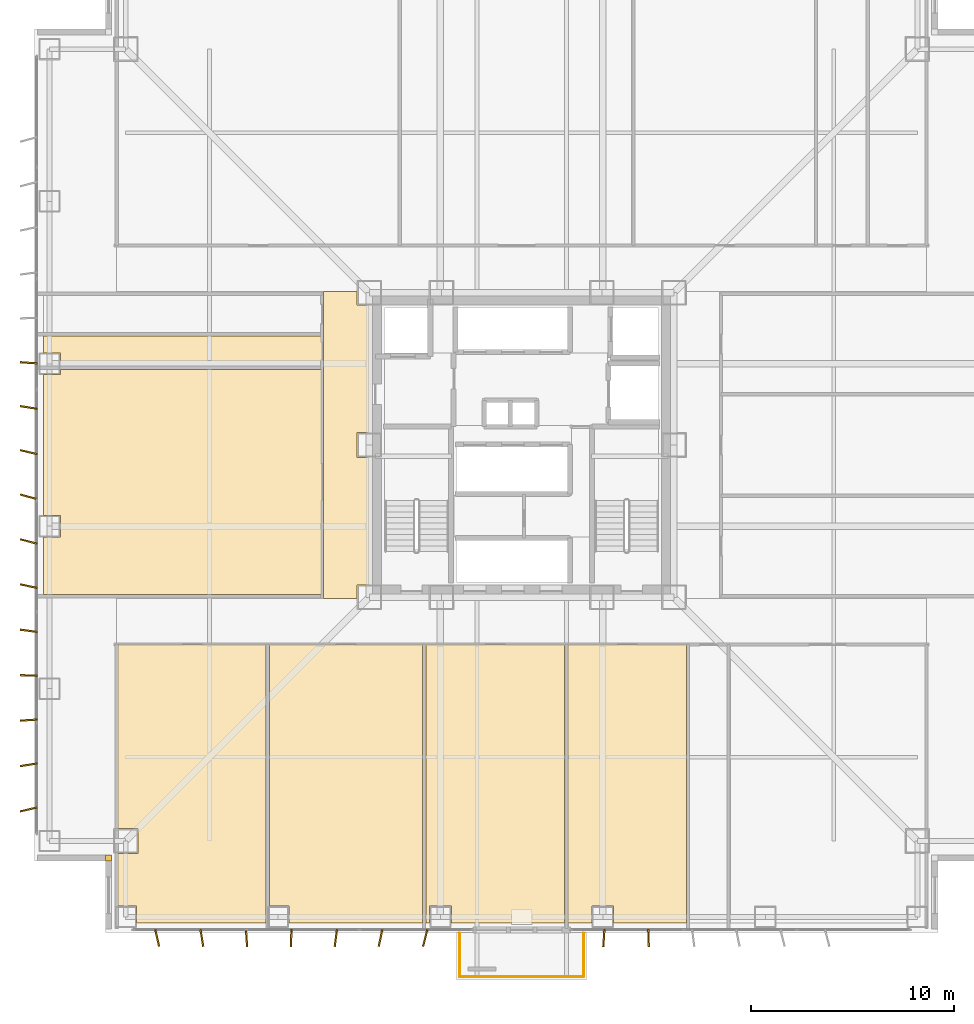
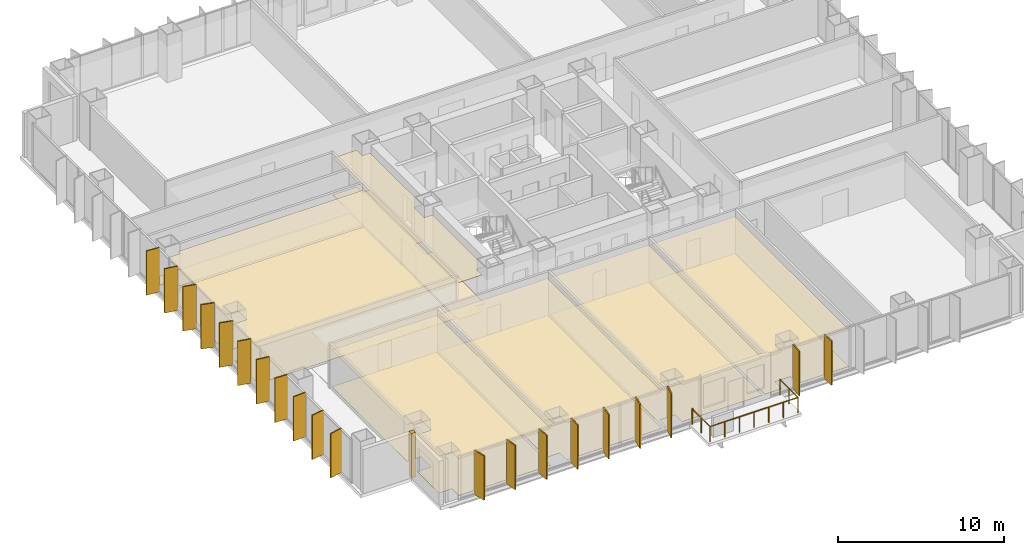
# One storey, part 17 of 21: 20 shading devices, 14 coverings, 3 railings.
"""IFC4 building model written with IfcOpenShell, lengths in metres."""

from ifc_helpers import new_model, si_unit, direction, frame, origin, origin_2d, place, context, subcontext, project, spatial, polyline, rectangle, circle, outline, extrude, material, layer, layer_set, type_object, element, save


model = new_model("IFC4")

# Units and contexts
model_context = context("Model", 3, precision=1e-05, world=origin(), true_north=direction((0.0, 1.0)))
body_context = subcontext(model_context, "Body", "Model", "MODEL_VIEW")
ifc_project = project(units=[si_unit("LENGTHUNIT", "METRE"), si_unit("AREAUNIT", "SQUARE_METRE"), si_unit("VOLUMEUNIT", "CUBIC_METRE"), si_unit("PLANEANGLEUNIT", "RADIAN"), si_unit("MASSUNIT", "GRAM", prefix="KILO")], contexts=[model_context])

# Site, building, storey
site_placement = place(None, origin())
site = spatial("IfcSite", under=ifc_project, at=site_placement, CompositionType="ELEMENT")
building_placement = place(site_placement, origin())
building = spatial("IfcBuilding", under=site, at=building_placement, Name="Trevonay Congress Spire", CompositionType="ELEMENT")
storey_placement = place(building_placement, frame((0.0, 0.0, 37.5)))
storey = spatial("IfcBuildingStorey", under=building, at=storey_placement, Name="L08", CompositionType="ELEMENT", Elevation=37.5)

# Coverings
ifc_material_1 = material(Name="Acoustic Mineral Fibre Board", Category="gypsum")
ifc_layer_1 = layer(ifc_material_1, 0.02490234375, Name="Acoustic Mineral Fibre Board")
ifc_layer_set_1 = layer_set([ifc_layer_1], Name="Acoustic Mineral Fibre Board")
covering_type_1 = type_object("IfcCoveringType", Name="COV-CEIL-ACOUSTIC", PredefinedType="CEILING", material=ifc_layer_set_1)
covering_1_placement = place(storey_placement, frame((0.0, 0.0, 2.699951171875)))
element("IfcCovering", 1, at=covering_1_placement, inside=storey, type_object=covering_type_1, Name="L08 Hotel Floor Corridor West acoustic suspended ceiling", PredefinedType="CEILING", context=body_context, shape_type="SweptSolid", body=[
    extrude(outline(polyline([(-9.75, 7.550048828125), (-8.110107421875, 7.550048828125), (-8.110107421875, 6.889892578125), (-7.550048828125, 6.889892578125), (-7.550048828125, 0.610107421875), (-8.110107421875, 0.610107421875), (-8.110107421875, -0.610107421875), (-7.550048828125, -0.610107421875), (-7.550048828125, -6.889892578125), (-8.110107421875, -6.889892578125), (-8.110107421875, -7.550048828125), (-9.75, -7.550048828125), (-9.75, 7.550048828125)])), origin(), (0.0, 0.0, 1.0), 0.025146484375),
])
covering_2_placement = place(storey_placement, frame((0.0, 0.0, 2.699951171875)))
element("IfcCovering", 2, at=covering_2_placement, inside=storey, type_object=covering_type_1, Name="L08 Delegate Breakout Room A acoustic suspended ceiling", PredefinedType="CEILING", context=body_context, shape_type="SweptSolid", body=[
    extrude(outline(polyline([(-19.8701171875, -9.830078125), (-12.580078125, -9.830078125), (-12.580078125, -23.550048828125), (-18.965087890625, -23.550048828125), (-18.965087890625, -22.715087890625), (-19.8701171875, -22.715087890625), (-19.8701171875, -20.110107421875), (-18.889892578125, -20.110107421875), (-18.889892578125, -18.889892578125), (-19.8701171875, -18.889892578125), (-19.8701171875, -9.830078125)])), origin(), (0.0, 0.0, 1.0), 0.025146484375),
])
covering_3_placement = place(storey_placement, frame((0.0, 0.0, 2.699951171875)))
element("IfcCovering", 3, at=covering_3_placement, inside=storey, type_object=covering_type_1, Name="L08 Delegate Breakout Room B acoustic suspended ceiling", PredefinedType="CEILING", context=body_context, shape_type="SweptSolid", body=[
    extrude(outline(polyline([(-12.419921875, -9.830078125), (-4.8798828125, -9.830078125), (-4.8798828125, -23.550048828125), (-11.465087890625, -23.550048828125), (-11.465087890625, -22.715087890625), (-12.419921875, -22.715087890625), (-12.419921875, -9.830078125)])), origin(), (0.0, 0.0, 1.0), 0.025146484375),
])
covering_4_placement = place(storey_placement, frame((0.0, 0.0, 2.699951171875)))
element("IfcCovering", 4, at=covering_4_placement, inside=storey, type_object=covering_type_1, Name="L08 Delegate Breakout Room C acoustic suspended ceiling", PredefinedType="CEILING", context=body_context, shape_type="SweptSolid", body=[
    extrude(outline(polyline([(-4.719970703125, -23.550048828125), (-4.719970703125, -9.830078125), (2.1201171875, -9.830078125), (2.1201171875, -23.550048828125), (-3.465087890625, -23.550048828125), (-3.465087890625, -22.715087890625), (-4.534912109375, -22.715087890625), (-4.534912109375, -23.550048828125), (-4.719970703125, -23.550048828125)])), origin(), (0.0, 0.0, 1.0), 0.025146484375),
])
covering_5_placement = place(storey_placement, frame((0.0, 0.0, 2.699951171875)))
element("IfcCovering", 5, at=covering_5_placement, inside=storey, type_object=covering_type_1, Name="L08 Breakout Coffee Lounge acoustic suspended ceiling", PredefinedType="CEILING", context=body_context, shape_type="SweptSolid", body=[
    extrude(outline(polyline([(2.280029296875, -23.550048828125), (2.280029296875, -9.830078125), (8.1201171875, -9.830078125), (8.1201171875, -23.550048828125), (4.534912109375, -23.550048828125), (4.534912109375, -22.715087890625), (3.465087890625, -22.715087890625), (3.465087890625, -23.550048828125), (2.280029296875, -23.550048828125)])), origin(), (0.0, 0.0, 1.0), 0.025146484375),
])
covering_6_placement = place(storey_placement, frame((0.0, 0.0, 2.699951171875)))
element("IfcCovering", 6, at=covering_6_placement, inside=storey, type_object=covering_type_1, Name="L08 Press Media Briefing Salon acoustic suspended ceiling", PredefinedType="CEILING", context=body_context, shape_type="SweptSolid", body=[
    extrude(outline(polyline([(-9.830078125, 3.719970703125), (-9.830078125, -7.3701171875), (-23.550048828125, -7.3701171875), (-23.550048828125, -4.534912109375), (-22.715087890625, -4.534912109375), (-22.715087890625, -3.465087890625), (-23.550048828125, -3.465087890625), (-23.550048828125, 3.465087890625), (-22.715087890625, 3.465087890625), (-22.715087890625, 3.719970703125), (-9.830078125, 3.719970703125)])), origin(), (0.0, 0.0, 1.0), 0.025146484375),
])
ifc_material_2 = material(Name="Polished Granite Floor Tile", Category="masonry")
ifc_layer_2 = layer(ifc_material_2, 0.02001953125, Name="Polished Granite Floor Tile")
ifc_layer_set_2 = layer_set([ifc_layer_2], Name="Polished Granite Floor Tile")
covering_type_2 = type_object("IfcCoveringType", Name="COV-FLOOR-STONE", PredefinedType="FLOORING", material=ifc_layer_set_2)
covering_7_placement = place(storey_placement, origin())
element("IfcCovering", 7, at=covering_7_placement, inside=storey, type_object=covering_type_2, Name="L08 Hotel Floor Corridor West floor finish", PredefinedType="FLOORING", context=body_context, shape_type="SweptSolid", body=[
    extrude(outline(polyline([(-9.75, 7.550048828125), (-8.110107421875, 7.550048828125), (-8.110107421875, 6.889892578125), (-7.550048828125, 6.889892578125), (-7.550048828125, 0.610107421875), (-8.110107421875, 0.610107421875), (-8.110107421875, -0.610107421875), (-7.550048828125, -0.610107421875), (-7.550048828125, -6.889892578125), (-8.110107421875, -6.889892578125), (-8.110107421875, -7.550048828125), (-9.75, -7.550048828125), (-9.75, 7.550048828125)])), origin(), (0.0, 0.0, 1.0), 0.02001953125),
])
covering_8_placement = place(storey_placement, origin())
element("IfcCovering", 8, at=covering_8_placement, inside=storey, type_object=covering_type_2, Name="L08 Male Restroom WC floor finish", PredefinedType="FLOORING", context=body_context, shape_type="SweptSolid", body=[
    extrude(outline(polyline([(-23.550048828125, 5.3701171875), (-9.830078125, 5.3701171875), (-9.830078125, 3.8798828125), (-22.715087890625, 3.8798828125), (-22.715087890625, 4.534912109375), (-23.550048828125, 4.534912109375), (-23.550048828125, 5.3701171875)])), origin(), (0.0, 0.0, 1.0), 0.02001953125),
])
ifc_material_3 = material(Name="Engineered Oak Flooring", Category="wood")
ifc_layer_3 = layer(ifc_material_3, 0.01806640625, Name="Engineered Oak Flooring")
ifc_layer_set_3 = layer_set([ifc_layer_3], Name="Engineered Oak Flooring")
covering_type_3 = type_object("IfcCoveringType", Name="COV-FLOOR-TIMBER", PredefinedType="FLOORING", material=ifc_layer_set_3)
covering_9_placement = place(storey_placement, origin())
element("IfcCovering", 9, at=covering_9_placement, inside=storey, type_object=covering_type_3, Name="L08 Delegate Breakout Room A floor finish", PredefinedType="FLOORING", context=body_context, shape_type="SweptSolid", body=[
    extrude(outline(polyline([(-19.8701171875, -9.830078125), (-12.580078125, -9.830078125), (-12.580078125, -23.550048828125), (-18.965087890625, -23.550048828125), (-18.965087890625, -22.715087890625), (-19.8701171875, -22.715087890625), (-19.8701171875, -20.110107421875), (-18.889892578125, -20.110107421875), (-18.889892578125, -18.889892578125), (-19.8701171875, -18.889892578125), (-19.8701171875, -9.830078125)])), origin(), (0.0, 0.0, 1.0), 0.01806640625),
])
covering_10_placement = place(storey_placement, origin())
element("IfcCovering", 10, at=covering_10_placement, inside=storey, type_object=covering_type_3, Name="L08 Delegate Breakout Room B floor finish", PredefinedType="FLOORING", context=body_context, shape_type="SweptSolid", body=[
    extrude(outline(polyline([(-12.419921875, -9.830078125), (-4.8798828125, -9.830078125), (-4.8798828125, -23.550048828125), (-11.465087890625, -23.550048828125), (-11.465087890625, -22.715087890625), (-12.419921875, -22.715087890625), (-12.419921875, -9.830078125)])), origin(), (0.0, 0.0, 1.0), 0.01806640625),
])
covering_11_placement = place(storey_placement, origin())
element("IfcCovering", 11, at=covering_11_placement, inside=storey, type_object=covering_type_3, Name="L08 Delegate Breakout Room C floor finish", PredefinedType="FLOORING", context=body_context, shape_type="SweptSolid", body=[
    extrude(outline(polyline([(-4.719970703125, -23.550048828125), (-4.719970703125, -9.830078125), (2.1201171875, -9.830078125), (2.1201171875, -23.550048828125), (-3.465087890625, -23.550048828125), (-3.465087890625, -22.715087890625), (-4.534912109375, -22.715087890625), (-4.534912109375, -23.550048828125), (-4.719970703125, -23.550048828125)])), origin(), (0.0, 0.0, 1.0), 0.01806640625),
])
covering_12_placement = place(storey_placement, origin())
element("IfcCovering", 12, at=covering_12_placement, inside=storey, type_object=covering_type_3, Name="L08 Breakout Coffee Lounge floor finish", PredefinedType="FLOORING", context=body_context, shape_type="SweptSolid", body=[
    extrude(outline(polyline([(2.280029296875, -23.550048828125), (2.280029296875, -9.830078125), (8.1201171875, -9.830078125), (8.1201171875, -23.550048828125), (4.534912109375, -23.550048828125), (4.534912109375, -22.715087890625), (3.465087890625, -22.715087890625), (3.465087890625, -23.550048828125), (2.280029296875, -23.550048828125)])), origin(), (0.0, 0.0, 1.0), 0.01806640625),
])
covering_13_placement = place(storey_placement, origin())
element("IfcCovering", 13, at=covering_13_placement, inside=storey, type_object=covering_type_3, Name="L08 Press Media Briefing Salon floor finish", PredefinedType="FLOORING", context=body_context, shape_type="SweptSolid", body=[
    extrude(outline(polyline([(-9.830078125, 3.719970703125), (-9.830078125, -7.3701171875), (-23.550048828125, -7.3701171875), (-23.550048828125, -4.534912109375), (-22.715087890625, -4.534912109375), (-22.715087890625, -3.465087890625), (-23.550048828125, -3.465087890625), (-23.550048828125, 3.465087890625), (-22.715087890625, 3.465087890625), (-22.715087890625, 3.719970703125), (-9.830078125, 3.719970703125)])), origin(), (0.0, 0.0, 1.0), 0.01806640625),
])
ifc_material_4 = material(Name="Pale Anodised Aluminium EN AW-6063-T6", Category="aluminium")
ifc_layer_4 = layer(ifc_material_4, 0.0400390625, Name="Pale Anodised Aluminium EN AW-6063-T6")
ifc_layer_set_4 = layer_set([ifc_layer_4], Name="Pale Anodised Aluminium EN AW-6063-T6")
covering_type_4 = type_object("IfcCoveringType", Name="COV-SPANDREL-PALE-METAL", PredefinedType="CLADDING", material=ifc_layer_set_4)
covering_14_placement = place(storey_placement, origin())
element("IfcCovering", 14, at=covering_14_placement, inside=storey, type_object=covering_type_4, Name="L08 SW re-entrant notch corner closure trim", PredefinedType="CLADDING", context=body_context, shape_type="SweptSolid", body=[
    extrude(outline(polyline([(-20.5, -20.5), (-20.199951171875, -20.5), (-20.199951171875, -20.199951171875), (-20.5, -20.199951171875), (-20.5, -20.5)])), origin(), (0.0, 0.0, 1.0), 3.25),
])

# Railings
railing_type = type_object("IfcRailingType", Name="RAL-EXT-GUARD-115", PredefinedType="GUARDRAIL", material=ifc_material_4)
railing_1_placement = place(storey_placement, frame((-3.050048828125, -24.050048828125, 0.0)))
element("IfcRailing", 15, at=railing_1_placement, inside=storey, type_object=railing_type, Name="L08 perimeter safety guard GRD-L08-TBAL-S-1", PredefinedType="GUARDRAIL", context=body_context, shape_type="SweptSolid", body=[
    extrude(circle(Radius=0.02392578125, at=origin_2d()), frame((0.0, 0.0, 1.1259765625), z_axis=(0.0, -1.0, 0.0), x_axis=(1.0, 0.0, 0.0)), (0.0, 0.0, 1.0), 2.14990234375),
    extrude(circle(Radius=0.02099609375, at=origin_2d()), origin(), (0.0, 0.0, 1.0), 1.101806640625),
    extrude(circle(Radius=0.02099609375, at=origin_2d()), frame((0.0, -1.074951171875, 0.0)), (0.0, 0.0, 1.0), 1.101806640625),
    extrude(circle(Radius=0.02099609375, at=origin_2d()), frame((0.0, -2.14990234375, 0.0)), (0.0, 0.0, 1.0), 1.101806640625),
])
railing_2_placement = place(storey_placement, frame((-3.050048828125, -26.199951171875, 0.0)))
element("IfcRailing", 16, at=railing_2_placement, inside=storey, type_object=railing_type, Name="L08 perimeter safety guard GRD-L08-TBAL-S-2", PredefinedType="GUARDRAIL", context=body_context, shape_type="SweptSolid", body=[
    extrude(circle(Radius=0.02392578125, at=origin_2d()), frame((0.0, 0.0, 1.1259765625), z_axis=(1.0, 0.0, 0.0), x_axis=(0.0, 1.0, 0.0)), (0.0, 0.0, 1.0), 6.10009765625),
    extrude(circle(Radius=0.02099609375, at=origin_2d()), origin(), (0.0, 0.0, 1.0), 1.101806640625),
    extrude(circle(Radius=0.02099609375, at=origin_2d()), frame((1.0166015625, 0.0, 0.0)), (0.0, 0.0, 1.0), 1.101806640625),
    extrude(circle(Radius=0.02099609375, at=origin_2d()), frame((2.033447265625, 0.0, 0.0)), (0.0, 0.0, 1.0), 1.101806640625),
    extrude(circle(Radius=0.02099609375, at=origin_2d()), frame((3.050048828125, 0.0, 0.0)), (0.0, 0.0, 1.0), 1.101806640625),
    extrude(circle(Radius=0.02099609375, at=origin_2d()), frame((4.066650390625, 0.0, 0.0)), (0.0, 0.0, 1.0), 1.101806640625),
    extrude(circle(Radius=0.02099609375, at=origin_2d()), frame((5.08349609375, 0.0, 0.0)), (0.0, 0.0, 1.0), 1.101806640625),
    extrude(circle(Radius=0.02099609375, at=origin_2d()), frame((6.10009765625, 0.0, 0.0)), (0.0, 0.0, 1.0), 1.101806640625),
])
railing_3_placement = place(storey_placement, frame((3.050048828125, -26.199951171875, 0.0)))
element("IfcRailing", 17, at=railing_3_placement, inside=storey, type_object=railing_type, Name="L08 perimeter safety guard GRD-L08-TBAL-S-3", PredefinedType="GUARDRAIL", context=body_context, shape_type="SweptSolid", body=[
    extrude(circle(Radius=0.02392578125, at=origin_2d()), frame((0.0, 0.0, 1.1259765625), z_axis=(0.0, 1.0, 0.0), x_axis=(-1.0, 0.0, 0.0)), (0.0, 0.0, 1.0), 2.14990234375),
    extrude(circle(Radius=0.02099609375, at=origin_2d()), origin(), (0.0, 0.0, 1.0), 1.101806640625),
    extrude(circle(Radius=0.02099609375, at=origin_2d()), frame((0.0, 1.074951171875, 0.0)), (0.0, 0.0, 1.0), 1.101806640625),
    extrude(circle(Radius=0.02099609375, at=origin_2d()), frame((0.0, 2.14990234375, 0.0)), (0.0, 0.0, 1.0), 1.101806640625),
])

# Shading devices
shading_device_type = type_object("IfcShadingDeviceType", Name="SHD-FIN-Z1-PALE-METAL", PredefinedType="USERDEFINED", material=ifc_material_4)
for number, where, z_axis, x_axis, name in (
    (18, (-17.949951171875, -24.280029296875, 0.0), (0.0, 0.0, 1.0), (0.97440931131, 0.224780991261, 0.0), "L08 S vertical pale-metal solar fin 1"),
    (19, (-15.75, -24.280029296875, 0.0), (0.0, 0.0, 1.0), (0.987330860032, 0.158675054211, 0.0), "L08 S vertical pale-metal solar fin 2"),
    (20, (-13.550048828125, -24.280029296875, 0.0), (0.0, 0.0, 1.0), (0.997707959868, 0.067667029017, 0.0), "L08 S vertical pale-metal solar fin 3"),
    (21, (-11.35009765625, -24.280029296875, 0.0), (0.0, 0.0, 1.0), (0.999414947917, -0.034201781837, 0.0), "L08 S vertical pale-metal solar fin 4"),
    (22, (-9.14990234375, -24.280029296875, 0.0), (0.0, 0.0, 1.0), (0.991444861374, -0.13052619222, 0.0), "L08 S vertical pale-metal solar fin 5"),
    (23, (-6.949951171875, -24.280029296875, 0.0), (0.0, 0.0, 1.0), (0.978508985102, -0.206204185397, 0.0), "L08 S vertical pale-metal solar fin 6"),
    (24, (-4.75, -24.280029296875, 0.0), (0.0, 0.0, 1.0), (0.968191325187, -0.250211026602, 0.0), "L08 S vertical pale-metal solar fin 7"),
    (25, (4.050048828125, -24.280029296875, 0.0), (0.0, 0.0, 1.0), (0.997707959868, -0.067667029017, 0.0), "L08 S vertical pale-metal solar fin 11"),
    (26, (6.25, -24.280029296875, 0.0), (0.0, 0.0, 1.0), (0.999414947917, 0.034201781837, 0.0), "L08 S vertical pale-metal solar fin 12"),
    (27, (-24.280029296875, -17.949951171875, 0.0), (0.0, 0.0, 1.0), (-0.224780991261, 0.97440931131, 0.0), "L08 W vertical pale-metal solar fin 1"),
    (28, (-24.280029296875, -15.75, 0.0), (0.0, 0.0, 1.0), (-0.158675054211, 0.987330860032, 0.0), "L08 W vertical pale-metal solar fin 2"),
    (29, (-24.280029296875, -13.550048828125, 0.0), (0.0, 0.0, 1.0), (-0.067667029017, 0.997707959868, 0.0), "L08 W vertical pale-metal solar fin 3"),
    (30, (-24.280029296875, -11.35009765625, 0.0), (0.0, 0.0, 1.0), (0.034201781837, 0.999414947917, 0.0), "L08 W vertical pale-metal solar fin 4"),
    (31, (-24.280029296875, -9.14990234375, 0.0), (0.0, 0.0, 1.0), (0.13052619222, 0.991444861374, 0.0), "L08 W vertical pale-metal solar fin 5"),
    (32, (-24.280029296875, -6.949951171875, 0.0), (0.0, 0.0, 1.0), (0.206204185397, 0.978508985102, 0.0), "L08 W vertical pale-metal solar fin 6"),
    (33, (-24.280029296875, -4.75, 0.0), (0.0, 0.0, 1.0), (0.250211026602, 0.968191325187, 0.0), "L08 W vertical pale-metal solar fin 7"),
    (34, (-24.280029296875, -2.550048828125, 0.0), (0.0, 0.0, 1.0), (0.256626764599, 0.966510581262, 0.0), "L08 W vertical pale-metal solar fin 8"),
    (35, (-24.280029296875, -0.35009765625, 0.0), (0.0, 0.0, 1.0), (0.224780991261, 0.97440931131, 0.0), "L08 W vertical pale-metal solar fin 9"),
    (36, (-24.280029296875, 1.85009765625, 0.0), (0.0, 0.0, 1.0), (0.158675054211, 0.987330860032, 0.0), "L08 W vertical pale-metal solar fin 10"),
    (37, (-24.280029296875, 4.050048828125, 0.0), (0.0, 0.0, 1.0), (0.067667029017, 0.997707959868, 0.0), "L08 W vertical pale-metal solar fin 11"),
):
    element("IfcShadingDevice", number, at=place(storey_placement, frame(where, z_axis=z_axis, x_axis=x_axis)), inside=storey, type_object=shading_device_type, Name=name, ObjectType="SOLAR FIN", PredefinedType="USERDEFINED", context=body_context, shape_type="SweptSolid", body=[
        extrude(rectangle(XDim=0.080078125, YDim=0.85009765625, at=origin_2d()), origin(), (0.0, 0.0, 1.0), 3.25),
    ])

save(model, "model.ifc")
